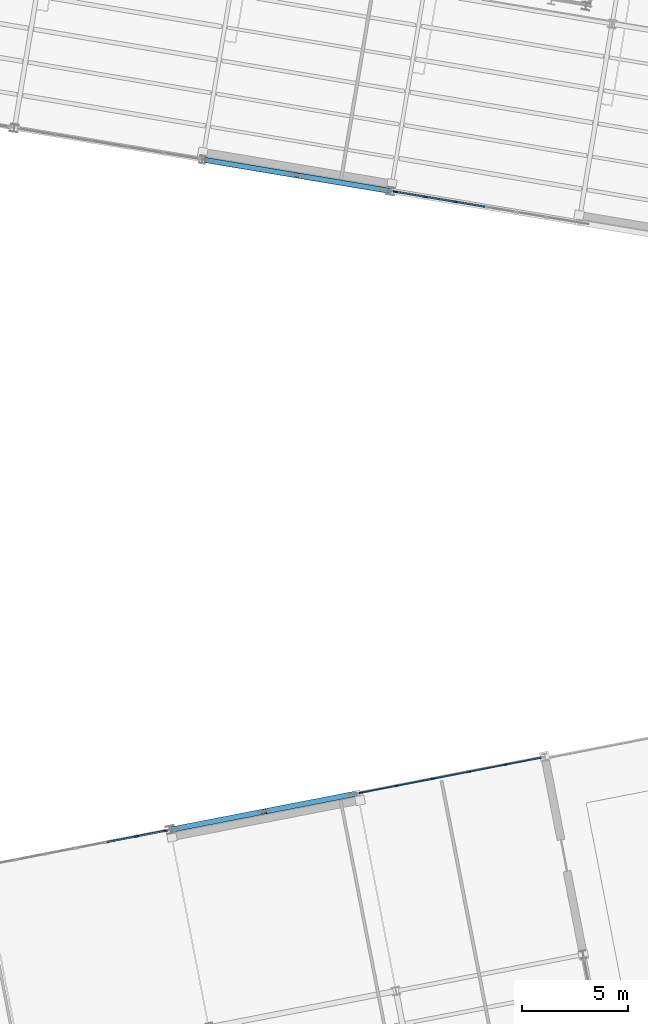
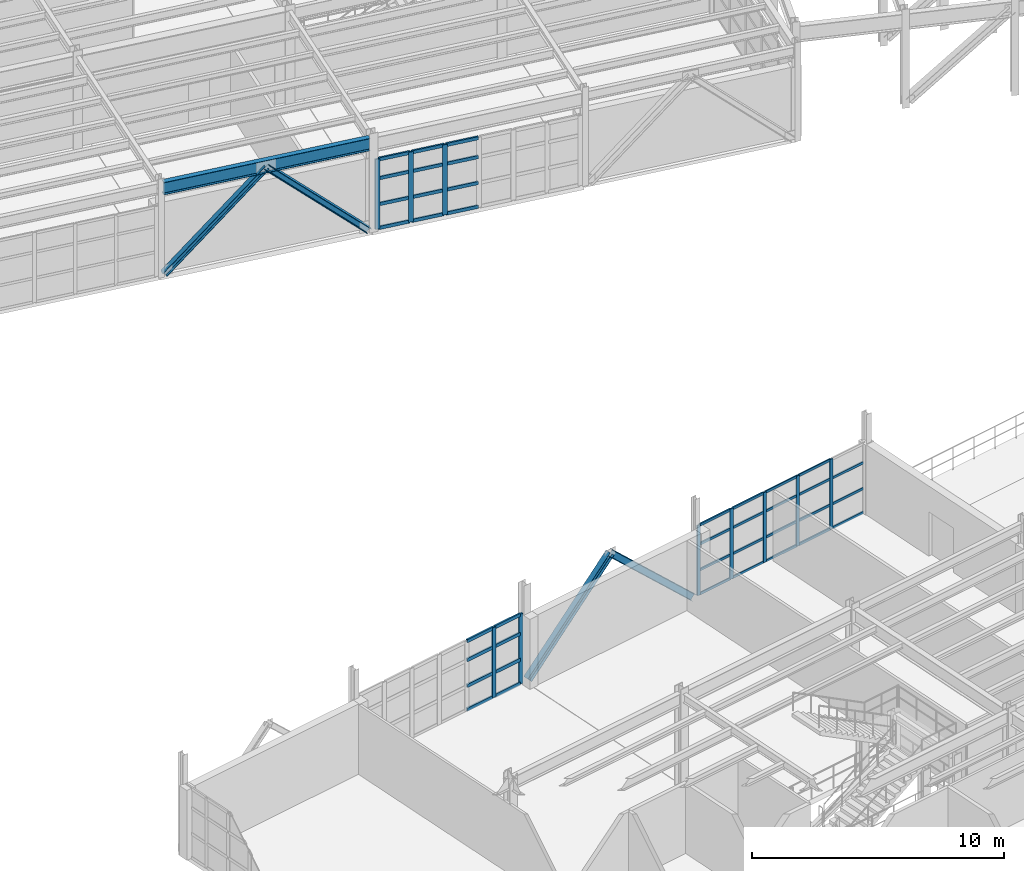
# One storey, part 27 of 109: 53 members, 1 beam, 3 elements without a shape of their own.
"""IFC4 building model written with IfcOpenShell, lengths in metres."""

from ifc_helpers import new_model, si_unit, direction, frame, origin, origin_2d, place, context, subcontext, project, spatial, rectangle, i_section, extrude, material, layer, layer_set, material_profile, profile_set, type_object, element, aggregate, save


model = new_model("IFC4")

# Units and contexts
model_context = context("Model", 3, precision=1e-05, world=origin(), true_north=direction((0.0, 1.0)))
body_context = subcontext(model_context, "Body", "Model", "MODEL_VIEW")
ifc_project = project(units=[si_unit("LENGTHUNIT", "METRE"), si_unit("AREAUNIT", "SQUARE_METRE"), si_unit("VOLUMEUNIT", "CUBIC_METRE"), si_unit("PLANEANGLEUNIT", "RADIAN"), si_unit("MASSUNIT", "GRAM", prefix="KILO")], contexts=[model_context])

# Site, building, storey
site_placement = place(None, origin())
site = spatial("IfcSite", under=ifc_project, at=site_placement, CompositionType="ELEMENT")
building_placement = place(site_placement, origin())
building = spatial("IfcBuilding", under=site, at=building_placement, Name="Vireo Bluff Cable Station", CompositionType="ELEMENT")
storey_placement = place(building_placement, frame((0.0, 0.0, 4.800048828125)))
storey = spatial("IfcBuildingStorey", under=building, at=storey_placement, Name="L01", CompositionType="ELEMENT", Elevation=4.800048828125)

# Members
ifc_material_1 = material(Name="Steel ASTM A992 Gr. 50", Category="steel")
ifc_material_profile_1 = material_profile(ifc_material_1, i_section(OverallWidth=0.2548828125, OverallDepth=0.256103515625, WebThickness=0.009521484375, FlangeThickness=0.015625, FilletRadius=0.009033203125, at=origin_2d()), Name="W10X54")
ifc_profile_set_1 = profile_set([ifc_material_profile_1], Name="Steel ASTM A992 Gr. 50")
member_type_1 = type_object("IfcMemberType", Name="BRC-02", PredefinedType="BRACE", material=ifc_profile_set_1)
member_1_placement = place(storey_placement, frame((23.410888671875, 68.502685546875, 0.0400390625), z_axis=(0.713671018406, -0.11942683899, 0.690225258605), x_axis=(0.165046622801, 0.986285766044, 0.0)))
element("IfcMember", 1, at=member_1_placement, inside=storey, type_object=member_type_1, Name="V4 L01 concentric brace 73L", PredefinedType="BRACE", context=body_context, shape_type="SweptSolid", body=[
    extrude(i_section(OverallWidth=0.2548828125, OverallDepth=0.256103515625, WebThickness=0.009521484375, FlangeThickness=0.015625, FilletRadius=0.009033203125, at=origin_2d()), origin(), (0.0, 0.0, 1.0), 5.997802734375),
])
ifc_material_profile_2 = material_profile(ifc_material_1, i_section(OverallWidth=0.257080078125, OverallDepth=0.263916015625, WebThickness=0.011962890625, FlangeThickness=0.01953125, FilletRadius=0.009033203125, at=origin_2d()), Name="W10X68")
ifc_profile_set_2 = profile_set([ifc_material_profile_2], Name="Steel ASTM A992 Gr. 50")
member_type_2 = type_object("IfcMemberType", Name="BRC-03", PredefinedType="BRACE", material=ifc_profile_set_2)
member_2_placement = place(storey_placement, frame((31.971923828125, 67.070068359375, 0.0400390625), z_axis=(-0.713671018406, 0.11942683899, 0.690225258605), x_axis=(-0.165046622801, -0.986285766044, 0.0)))
element("IfcMember", 2, at=member_2_placement, inside=storey, type_object=member_type_2, Name="V4 L01 concentric brace 74R", PredefinedType="BRACE", context=body_context, shape_type="SweptSolid", body=[
    extrude(i_section(OverallWidth=0.257080078125, OverallDepth=0.263916015625, WebThickness=0.011962890625, FlangeThickness=0.01953125, FilletRadius=0.009033203125, at=origin_2d()), origin(), (0.0, 0.0, 1.0), 5.997802734375),
])
ifc_material_profile_3 = material_profile(ifc_material_1, i_section(OverallWidth=0.25390625, OverallDepth=0.305908203125, WebThickness=0.0087890625, FlangeThickness=0.0146484375, FilletRadius=0.010986328125, at=origin_2d()), Name="W12X53")
ifc_profile_set_3 = profile_set([ifc_material_profile_3], Name="Steel ASTM A992 Gr. 50")
member_type_3 = type_object("IfcMemberType", Name="BRC-04", PredefinedType="BRACE", material=ifc_profile_set_3)
member_3_placement = place(storey_placement, frame((21.88818359375, 36.94140625, 0.0400390625), z_axis=(0.710296245471, 0.138070192816, 0.690228850111), x_axis=(-0.190812443151, 0.981626513262, 0.0)))
element("IfcMember", 3, at=member_3_placement, inside=storey, type_object=member_type_3, Name="V5 L01 concentric brace 93L", PredefinedType="BRACE", context=body_context, shape_type="SweptSolid", body=[
    extrude(i_section(OverallWidth=0.25390625, OverallDepth=0.305908203125, WebThickness=0.0087890625, FlangeThickness=0.0146484375, FilletRadius=0.010986328125, at=origin_2d()), origin(), (0.0, 0.0, 1.0), 5.997802734375),
])
ifc_material_profile_4 = material_profile(ifc_material_1, i_section(OverallWidth=0.25390625, OverallDepth=0.31005859375, WebThickness=0.009033203125, FlangeThickness=0.016357421875, FilletRadius=0.010986328125, at=origin_2d()), Name="W12X58")
ifc_profile_set_4 = profile_set([ifc_material_profile_4], Name="Steel ASTM A992 Gr. 50")
member_type_4 = type_object("IfcMemberType", Name="BRC-05", PredefinedType="BRACE", material=ifc_profile_set_4)
member_4_placement = place(storey_placement, frame((30.408935546875, 38.59765625, 0.0400390625), z_axis=(-0.710316412908, -0.138066200939, 0.690208894257), x_axis=(0.190801907041, -0.981628561254, 0.0)))
element("IfcMember", 4, at=member_4_placement, inside=storey, type_object=member_type_4, Name="V5 L01 concentric brace 94R", PredefinedType="BRACE", context=body_context, shape_type="SweptSolid", body=[
    extrude(i_section(OverallWidth=0.25390625, OverallDepth=0.31005859375, WebThickness=0.009033203125, FlangeThickness=0.016357421875, FilletRadius=0.010986328125, at=origin_2d()), origin(), (0.0, 0.0, 1.0), 5.998046875),
])

# Curtain wall, members
ifc_material_2 = material(Name="Anodized Aluminium 6063-T6", Category="aluminium")
ifc_layer_1 = layer(ifc_material_2, 0.179931640625, Name="Anodized Aluminium 6063-T6")
ifc_layer_set_1 = layer_set([ifc_layer_1], Name="Anodized Aluminium 6063-T6")
curtain_wall_type_1 = type_object("IfcCurtainWallType", Name="CW-UNIT-1500", PredefinedType="USERDEFINED", material=ifc_layer_set_1)
curtain_wall_1_placement = place(storey_placement, origin())
curtain_wall_1 = element("IfcCurtainWall", 5, at=curtain_wall_1_placement, inside=storey, type_object=curtain_wall_type_1, Name="V4 L01 south curtain wall CW-085", ObjectType="UNITISED CURTAIN WALL", PredefinedType="USERDEFINED")
ifc_material_profile_5 = material_profile(ifc_material_2, rectangle(XDim=0.074951171875, YDim=0.2099609375, at=origin_2d()), Name="ALU-M-75X210")
ifc_profile_set_5 = profile_set([ifc_material_profile_5], Name="Anodized Aluminium 6063-T6")
member_type_5 = type_object("IfcMemberType", Name="CWM-02", PredefinedType="MULLION", material=ifc_profile_set_5)
member_5_placement = place(storey_placement, frame((35.1689453125, 66.53515625, 0.0), z_axis=(0.0, 0.0, 1.0), x_axis=(-0.165047619081, -0.986285599325, 0.0)))
member_5 = element("IfcMember", 6, at=member_5_placement, type_object=member_type_5, Name="CW-085 mullion 5", PredefinedType="MULLION", context=body_context, shape_type="SweptSolid", body=[
    extrude(rectangle(XDim=0.074951171875, YDim=0.2099609375, at=origin_2d()), origin(), (0.0, 0.0, 1.0), 3.39990234375),
])
member_6_placement = place(storey_placement, frame((33.741455078125, 66.77392578125, 0.0), z_axis=(0.0, 0.0, 1.0), x_axis=(-0.165047619081, -0.986285599325, 0.0)))
member_6 = element("IfcMember", 7, at=member_6_placement, type_object=member_type_5, Name="CW-085 mullion 6", PredefinedType="MULLION", context=body_context, shape_type="SweptSolid", body=[
    extrude(rectangle(XDim=0.074951171875, YDim=0.2099609375, at=origin_2d()), origin(), (0.0, 0.0, 1.0), 3.39990234375),
])
member_7_placement = place(storey_placement, frame((32.35107421875, 67.006591796875, 0.0), z_axis=(0.0, 0.0, 1.0), x_axis=(-0.165047619081, -0.986285599325, 0.0)))
member_7 = element("IfcMember", 8, at=member_7_placement, type_object=member_type_5, Name="CW-085 mullion 7", PredefinedType="MULLION", context=body_context, shape_type="SweptSolid", body=[
    extrude(rectangle(XDim=0.074951171875, YDim=0.2099609375, at=origin_2d()), origin(), (0.0, 0.0, 1.0), 3.39990234375),
])

curtain_wall_2_placement = place(storey_placement, origin())
curtain_wall_2 = element("IfcCurtainWall", 9, at=curtain_wall_2_placement, inside=storey, type_object=curtain_wall_type_1, Name="V5 L01 north curtain wall CW-121", ObjectType="UNITISED CURTAIN WALL", PredefinedType="USERDEFINED")
member_8_placement = place(storey_placement, frame((20.127197265625, 36.59912109375, 0.0), z_axis=(0.0, 0.0, 1.0), x_axis=(-0.190808984446, 0.981627185572, 0.0)))
member_8 = element("IfcMember", 10, at=member_8_placement, type_object=member_type_5, Name="CW-121 mullion 6", PredefinedType="MULLION", context=body_context, shape_type="SweptSolid", body=[
    extrude(rectangle(XDim=0.074951171875, YDim=0.2099609375, at=origin_2d()), origin(), (0.0, 0.0, 1.0), 3.39990234375),
])
member_9_placement = place(storey_placement, frame((21.5107421875, 36.8681640625, 0.0), z_axis=(0.0, 0.0, 1.0), x_axis=(-0.190808984446, 0.981627185572, 0.0)))
member_9 = element("IfcMember", 11, at=member_9_placement, type_object=member_type_5, Name="CW-121 mullion 7", PredefinedType="MULLION", context=body_context, shape_type="SweptSolid", body=[
    extrude(rectangle(XDim=0.074951171875, YDim=0.2099609375, at=origin_2d()), origin(), (0.0, 0.0, 1.0), 3.39990234375),
])

ifc_layer_2 = layer(ifc_material_2, 0.179931640625, Name="Anodized Aluminium 6063-T6")
ifc_layer_set_2 = layer_set([ifc_layer_2], Name="Anodized Aluminium 6063-T6")
curtain_wall_type_2 = type_object("IfcCurtainWallType", Name="CW-UNIT-1650", PredefinedType="USERDEFINED", material=ifc_layer_set_2)
curtain_wall_3_placement = place(storey_placement, origin())
curtain_wall_3 = element("IfcCurtainWall", 12, at=curtain_wall_3_placement, inside=storey, type_object=curtain_wall_type_2, Name="V5 L01 north curtain wall CW-122", ObjectType="UNITISED CURTAIN WALL", PredefinedType="USERDEFINED")
ifc_material_profile_6 = material_profile(ifc_material_2, rectangle(XDim=0.06005859375, YDim=0.159912109375, at=origin_2d()), Name="ALU-M-60X160")
ifc_profile_set_6 = profile_set([ifc_material_profile_6], Name="Anodized Aluminium 6063-T6")
member_type_6 = type_object("IfcMemberType", Name="CWM-03", PredefinedType="MULLION", material=ifc_profile_set_6)
member_10_placement = place(storey_placement, frame((30.722412109375, 38.65869140625, 0.0), z_axis=(0.0, 0.0, 1.0), x_axis=(-0.190809014291, 0.981627179771, 0.0)))
member_10 = element("IfcMember", 13, at=member_10_placement, type_object=member_type_6, Name="CW-122 mullion 1", PredefinedType="MULLION", context=body_context, shape_type="SweptSolid", body=[
    extrude(rectangle(XDim=0.06005859375, YDim=0.159912109375, at=origin_2d()), origin(), (0.0, 0.0, 1.0), 3.39990234375),
])
member_11_placement = place(storey_placement, frame((32.4091796875, 38.986572265625, 0.0), z_axis=(0.0, 0.0, 1.0), x_axis=(-0.190809014291, 0.981627179771, 0.0)))
member_11 = element("IfcMember", 14, at=member_11_placement, type_object=member_type_6, Name="CW-122 mullion 2", PredefinedType="MULLION", context=body_context, shape_type="SweptSolid", body=[
    extrude(rectangle(XDim=0.06005859375, YDim=0.159912109375, at=origin_2d()), origin(), (0.0, 0.0, 1.0), 3.39990234375),
])
member_12_placement = place(storey_placement, frame((34.125244140625, 39.320068359375, 0.0), z_axis=(0.0, 0.0, 1.0), x_axis=(-0.190809014291, 0.981627179771, 0.0)))
member_12 = element("IfcMember", 15, at=member_12_placement, type_object=member_type_6, Name="CW-122 mullion 3", PredefinedType="MULLION", context=body_context, shape_type="SweptSolid", body=[
    extrude(rectangle(XDim=0.06005859375, YDim=0.159912109375, at=origin_2d()), origin(), (0.0, 0.0, 1.0), 3.39990234375),
])
member_13_placement = place(storey_placement, frame((35.841552734375, 39.65380859375, 0.0), z_axis=(0.0, 0.0, 1.0), x_axis=(-0.190809014291, 0.981627179771, 0.0)))
member_13 = element("IfcMember", 16, at=member_13_placement, type_object=member_type_6, Name="CW-122 mullion 4", PredefinedType="MULLION", context=body_context, shape_type="SweptSolid", body=[
    extrude(rectangle(XDim=0.06005859375, YDim=0.159912109375, at=origin_2d()), origin(), (0.0, 0.0, 1.0), 3.39990234375),
])
member_14_placement = place(storey_placement, frame((37.5576171875, 39.9873046875, 0.0), z_axis=(0.0, 0.0, 1.0), x_axis=(-0.190809014291, 0.981627179771, 0.0)))
member_14 = element("IfcMember", 17, at=member_14_placement, type_object=member_type_6, Name="CW-122 mullion 5", PredefinedType="MULLION", context=body_context, shape_type="SweptSolid", body=[
    extrude(rectangle(XDim=0.06005859375, YDim=0.159912109375, at=origin_2d()), origin(), (0.0, 0.0, 1.0), 3.39990234375),
])

# Member
ifc_material_profile_7 = material_profile(ifc_material_2, rectangle(XDim=0.074951171875, YDim=0.159912109375, at=origin_2d()), Name="ALU-T-75X160")
ifc_profile_set_7 = profile_set([ifc_material_profile_7], Name="Anodized Aluminium 6063-T6")
member_type_7 = type_object("IfcMemberType", Name="CWT-02", PredefinedType="USERDEFINED", material=ifc_profile_set_7)
member_15_placement = place(storey_placement, frame((36.559326171875, 66.302490234375, 0.037353515625), z_axis=(-0.986273436195, 0.16512028663, 0.0), x_axis=(-0.16512028663, -0.986273436195, 0.0)))
member_15 = element("IfcMember", 18, at=member_15_placement, type_object=member_type_7, Name="CW-085 transom 4.1", ObjectType="TRANSOM", PredefinedType="USERDEFINED", context=body_context, shape_type="SweptSolid", body=[
    extrude(rectangle(XDim=0.074951171875, YDim=0.159912109375, at=origin_2d()), origin(), (0.0, 0.0, 1.0), 1.3720703125),
])

member_16_placement = place(storey_placement, frame((36.559326171875, 66.302490234375, 1.18994140625), z_axis=(-0.986273436195, 0.16512028663, 0.0), x_axis=(-0.16512028663, -0.986273436195, 0.0)))
member_16 = element("IfcMember", 19, at=member_16_placement, type_object=member_type_7, Name="CW-085 transom 4.2", ObjectType="TRANSOM", PredefinedType="USERDEFINED", context=body_context, shape_type="SweptSolid", body=[
    extrude(rectangle(XDim=0.074951171875, YDim=0.159912109375, at=origin_2d()), origin(), (0.0, 0.0, 1.0), 1.3720703125),
])

member_17_placement = place(storey_placement, frame((36.559326171875, 66.302490234375, 2.447998046875), z_axis=(-0.986273436195, 0.16512028663, 0.0), x_axis=(-0.16512028663, -0.986273436195, 0.0)))
member_17 = element("IfcMember", 20, at=member_17_placement, type_object=member_type_7, Name="CW-085 transom 4.3", ObjectType="TRANSOM", PredefinedType="USERDEFINED", context=body_context, shape_type="SweptSolid", body=[
    extrude(rectangle(XDim=0.074951171875, YDim=0.159912109375, at=origin_2d()), origin(), (0.0, 0.0, 1.0), 1.3720703125),
])

member_18_placement = place(storey_placement, frame((36.559326171875, 66.302490234375, 3.362548828125), z_axis=(-0.986273436195, 0.16512028663, 0.0), x_axis=(-0.16512028663, -0.986273436195, 0.0)))
member_18 = element("IfcMember", 21, at=member_18_placement, type_object=member_type_7, Name="CW-085 transom 4.4", ObjectType="TRANSOM", PredefinedType="USERDEFINED", context=body_context, shape_type="SweptSolid", body=[
    extrude(rectangle(XDim=0.074951171875, YDim=0.159912109375, at=origin_2d()), origin(), (0.0, 0.0, 1.0), 1.3720703125),
])

member_19_placement = place(storey_placement, frame((35.132080078125, 66.541259765625, 0.037353515625), z_axis=(-0.986278286164, 0.165091314856, 0.0), x_axis=(-0.165091314856, -0.986278286164, 0.0)))
member_19 = element("IfcMember", 22, at=member_19_placement, type_object=member_type_7, Name="CW-085 transom 5.1", ObjectType="TRANSOM", PredefinedType="USERDEFINED", context=body_context, shape_type="SweptSolid", body=[
    extrude(rectangle(XDim=0.074951171875, YDim=0.159912109375, at=origin_2d()), origin(), (0.0, 0.0, 1.0), 1.372314453125),
])

member_20_placement = place(storey_placement, frame((35.132080078125, 66.541259765625, 1.18994140625), z_axis=(-0.986278286164, 0.165091314856, 0.0), x_axis=(-0.165091314856, -0.986278286164, 0.0)))
member_20 = element("IfcMember", 23, at=member_20_placement, type_object=member_type_7, Name="CW-085 transom 5.2", ObjectType="TRANSOM", PredefinedType="USERDEFINED", context=body_context, shape_type="SweptSolid", body=[
    extrude(rectangle(XDim=0.074951171875, YDim=0.159912109375, at=origin_2d()), origin(), (0.0, 0.0, 1.0), 1.372314453125),
])

member_21_placement = place(storey_placement, frame((35.132080078125, 66.541259765625, 2.447998046875), z_axis=(-0.986278286164, 0.165091314856, 0.0), x_axis=(-0.165091314856, -0.986278286164, 0.0)))
member_21 = element("IfcMember", 24, at=member_21_placement, type_object=member_type_7, Name="CW-085 transom 5.3", ObjectType="TRANSOM", PredefinedType="USERDEFINED", context=body_context, shape_type="SweptSolid", body=[
    extrude(rectangle(XDim=0.074951171875, YDim=0.159912109375, at=origin_2d()), origin(), (0.0, 0.0, 1.0), 1.372314453125),
])

member_22_placement = place(storey_placement, frame((35.132080078125, 66.541259765625, 3.362548828125), z_axis=(-0.986278286164, 0.165091314856, 0.0), x_axis=(-0.165091314856, -0.986278286164, 0.0)))
member_22 = element("IfcMember", 25, at=member_22_placement, type_object=member_type_7, Name="CW-085 transom 5.4", ObjectType="TRANSOM", PredefinedType="USERDEFINED", context=body_context, shape_type="SweptSolid", body=[
    extrude(rectangle(XDim=0.074951171875, YDim=0.159912109375, at=origin_2d()), origin(), (0.0, 0.0, 1.0), 1.372314453125),
])

member_23_placement = place(storey_placement, frame((33.70458984375, 66.7802734375, 0.037353515625), z_axis=(-0.986294870737, 0.16499220575, 0.0), x_axis=(-0.16499220575, -0.986294870737, 0.0)))
member_23 = element("IfcMember", 26, at=member_23_placement, type_object=member_type_7, Name="CW-085 transom 6.1", ObjectType="TRANSOM", PredefinedType="USERDEFINED", context=body_context, shape_type="SweptSolid", body=[
    extrude(rectangle(XDim=0.074951171875, YDim=0.159912109375, at=origin_2d()), origin(), (0.0, 0.0, 1.0), 1.334716796875),
])

member_24_placement = place(storey_placement, frame((33.70458984375, 66.7802734375, 1.18994140625), z_axis=(-0.986294870737, 0.16499220575, 0.0), x_axis=(-0.16499220575, -0.986294870737, 0.0)))
member_24 = element("IfcMember", 27, at=member_24_placement, type_object=member_type_7, Name="CW-085 transom 6.2", ObjectType="TRANSOM", PredefinedType="USERDEFINED", context=body_context, shape_type="SweptSolid", body=[
    extrude(rectangle(XDim=0.074951171875, YDim=0.159912109375, at=origin_2d()), origin(), (0.0, 0.0, 1.0), 1.334716796875),
])

member_25_placement = place(storey_placement, frame((33.70458984375, 66.7802734375, 2.447998046875), z_axis=(-0.986294870737, 0.16499220575, 0.0), x_axis=(-0.16499220575, -0.986294870737, 0.0)))
member_25 = element("IfcMember", 28, at=member_25_placement, type_object=member_type_7, Name="CW-085 transom 6.3", ObjectType="TRANSOM", PredefinedType="USERDEFINED", context=body_context, shape_type="SweptSolid", body=[
    extrude(rectangle(XDim=0.074951171875, YDim=0.159912109375, at=origin_2d()), origin(), (0.0, 0.0, 1.0), 1.334716796875),
])

member_26_placement = place(storey_placement, frame((33.70458984375, 66.7802734375, 3.362548828125), z_axis=(-0.986294870737, 0.16499220575, 0.0), x_axis=(-0.16499220575, -0.986294870737, 0.0)))
member_26 = element("IfcMember", 29, at=member_26_placement, type_object=member_type_7, Name="CW-085 transom 6.4", ObjectType="TRANSOM", PredefinedType="USERDEFINED", context=body_context, shape_type="SweptSolid", body=[
    extrude(rectangle(XDim=0.074951171875, YDim=0.159912109375, at=origin_2d()), origin(), (0.0, 0.0, 1.0), 1.334716796875),
])

aggregate(curtain_wall_1, [member_5, member_6, member_7, member_15, member_16, member_17, member_18, member_19, member_20, member_21, member_22, member_23, member_24, member_25, member_26])

member_27_placement = place(storey_placement, frame((18.743408203125, 36.330078125, 0.037353515625), z_axis=(0.981607054743, 0.190912519438, 0.0), x_axis=(-0.190912519438, 0.981607054743, 0.0)))
member_27 = element("IfcMember", 30, at=member_27_placement, type_object=member_type_7, Name="CW-121 transom 5.1", ObjectType="TRANSOM", PredefinedType="USERDEFINED", context=body_context, shape_type="SweptSolid", body=[
    extrude(rectangle(XDim=0.074951171875, YDim=0.159912109375, at=origin_2d()), origin(), (0.0, 0.0, 1.0), 1.3720703125),
])

member_28_placement = place(storey_placement, frame((18.743408203125, 36.330078125, 1.18994140625), z_axis=(0.981607054743, 0.190912519438, 0.0), x_axis=(-0.190912519438, 0.981607054743, 0.0)))
member_28 = element("IfcMember", 31, at=member_28_placement, type_object=member_type_7, Name="CW-121 transom 5.2", ObjectType="TRANSOM", PredefinedType="USERDEFINED", context=body_context, shape_type="SweptSolid", body=[
    extrude(rectangle(XDim=0.074951171875, YDim=0.159912109375, at=origin_2d()), origin(), (0.0, 0.0, 1.0), 1.3720703125),
])

member_29_placement = place(storey_placement, frame((18.743408203125, 36.330078125, 2.447998046875), z_axis=(0.981607054743, 0.190912519438, 0.0), x_axis=(-0.190912519438, 0.981607054743, 0.0)))
member_29 = element("IfcMember", 32, at=member_29_placement, type_object=member_type_7, Name="CW-121 transom 5.3", ObjectType="TRANSOM", PredefinedType="USERDEFINED", context=body_context, shape_type="SweptSolid", body=[
    extrude(rectangle(XDim=0.074951171875, YDim=0.159912109375, at=origin_2d()), origin(), (0.0, 0.0, 1.0), 1.3720703125),
])

member_30_placement = place(storey_placement, frame((18.743408203125, 36.330078125, 3.362548828125), z_axis=(0.981607054743, 0.190912519438, 0.0), x_axis=(-0.190912519438, 0.981607054743, 0.0)))
member_30 = element("IfcMember", 33, at=member_30_placement, type_object=member_type_7, Name="CW-121 transom 5.4", ObjectType="TRANSOM", PredefinedType="USERDEFINED", context=body_context, shape_type="SweptSolid", body=[
    extrude(rectangle(XDim=0.074951171875, YDim=0.159912109375, at=origin_2d()), origin(), (0.0, 0.0, 1.0), 1.3720703125),
])

member_31_placement = place(storey_placement, frame((20.1640625, 36.606201171875, 0.037353515625), z_axis=(0.981628716361, 0.19080110905, 0.0), x_axis=(-0.19080110905, 0.981628716361, 0.0)))
member_31 = element("IfcMember", 34, at=member_31_placement, type_object=member_type_7, Name="CW-121 transom 6.1", ObjectType="TRANSOM", PredefinedType="USERDEFINED", context=body_context, shape_type="SweptSolid", body=[
    extrude(rectangle(XDim=0.074951171875, YDim=0.159912109375, at=origin_2d()), origin(), (0.0, 0.0, 1.0), 1.33447265625),
])

member_32_placement = place(storey_placement, frame((20.1640625, 36.606201171875, 1.18994140625), z_axis=(0.981628716361, 0.19080110905, 0.0), x_axis=(-0.19080110905, 0.981628716361, 0.0)))
member_32 = element("IfcMember", 35, at=member_32_placement, type_object=member_type_7, Name="CW-121 transom 6.2", ObjectType="TRANSOM", PredefinedType="USERDEFINED", context=body_context, shape_type="SweptSolid", body=[
    extrude(rectangle(XDim=0.074951171875, YDim=0.159912109375, at=origin_2d()), origin(), (0.0, 0.0, 1.0), 1.33447265625),
])

member_33_placement = place(storey_placement, frame((20.1640625, 36.606201171875, 2.447998046875), z_axis=(0.981628716361, 0.19080110905, 0.0), x_axis=(-0.19080110905, 0.981628716361, 0.0)))
member_33 = element("IfcMember", 36, at=member_33_placement, type_object=member_type_7, Name="CW-121 transom 6.3", ObjectType="TRANSOM", PredefinedType="USERDEFINED", context=body_context, shape_type="SweptSolid", body=[
    extrude(rectangle(XDim=0.074951171875, YDim=0.159912109375, at=origin_2d()), origin(), (0.0, 0.0, 1.0), 1.33447265625),
])

member_34_placement = place(storey_placement, frame((20.1640625, 36.606201171875, 3.362548828125), z_axis=(0.981628716361, 0.19080110905, 0.0), x_axis=(-0.19080110905, 0.981628716361, 0.0)))
member_34 = element("IfcMember", 37, at=member_34_placement, type_object=member_type_7, Name="CW-121 transom 6.4", ObjectType="TRANSOM", PredefinedType="USERDEFINED", context=body_context, shape_type="SweptSolid", body=[
    extrude(rectangle(XDim=0.074951171875, YDim=0.159912109375, at=origin_2d()), origin(), (0.0, 0.0, 1.0), 1.33447265625),
])

aggregate(curtain_wall_2, [member_8, member_9, member_27, member_28, member_29, member_30, member_31, member_32, member_33, member_34])

ifc_material_profile_8 = material_profile(ifc_material_2, rectangle(XDim=0.06005859375, YDim=0.1201171875, at=origin_2d()), Name="ALU-T-60X120")
ifc_profile_set_8 = profile_set([ifc_material_profile_8], Name="Anodized Aluminium 6063-T6")
member_type_8 = type_object("IfcMemberType", Name="CWT-03", PredefinedType="USERDEFINED", material=ifc_profile_set_8)
member_35_placement = place(storey_placement, frame((30.751953125, 38.664306640625, 0.030029296875), z_axis=(0.981625350054, 0.190818427129, 0.0), x_axis=(-0.190818427129, 0.981625350054, 0.0)))
member_35 = element("IfcMember", 38, at=member_35_placement, type_object=member_type_8, Name="CW-122 transom 1.1", ObjectType="TRANSOM", PredefinedType="USERDEFINED", context=body_context, shape_type="SweptSolid", body=[
    extrude(rectangle(XDim=0.06005859375, YDim=0.1201171875, at=origin_2d()), origin(), (0.0, 0.0, 1.0), 1.658203125),
])

member_36_placement = place(storey_placement, frame((30.751953125, 38.664306640625, 1.18994140625), z_axis=(0.981625350054, 0.190818427129, 0.0), x_axis=(-0.190818427129, 0.981625350054, 0.0)))
member_36 = element("IfcMember", 39, at=member_36_placement, type_object=member_type_8, Name="CW-122 transom 1.2", ObjectType="TRANSOM", PredefinedType="USERDEFINED", context=body_context, shape_type="SweptSolid", body=[
    extrude(rectangle(XDim=0.06005859375, YDim=0.1201171875, at=origin_2d()), origin(), (0.0, 0.0, 1.0), 1.658203125),
])

member_37_placement = place(storey_placement, frame((30.751953125, 38.664306640625, 2.447998046875), z_axis=(0.981625350054, 0.190818427129, 0.0), x_axis=(-0.190818427129, 0.981625350054, 0.0)))
member_37 = element("IfcMember", 40, at=member_37_placement, type_object=member_type_8, Name="CW-122 transom 1.3", ObjectType="TRANSOM", PredefinedType="USERDEFINED", context=body_context, shape_type="SweptSolid", body=[
    extrude(rectangle(XDim=0.06005859375, YDim=0.1201171875, at=origin_2d()), origin(), (0.0, 0.0, 1.0), 1.658203125),
])

member_38_placement = place(storey_placement, frame((30.751953125, 38.664306640625, 3.369873046875), z_axis=(0.981625350054, 0.190818427129, 0.0), x_axis=(-0.190818427129, 0.981625350054, 0.0)))
member_38 = element("IfcMember", 41, at=member_38_placement, type_object=member_type_8, Name="CW-122 transom 1.4", ObjectType="TRANSOM", PredefinedType="USERDEFINED", context=body_context, shape_type="SweptSolid", body=[
    extrude(rectangle(XDim=0.06005859375, YDim=0.1201171875, at=origin_2d()), origin(), (0.0, 0.0, 1.0), 1.658203125),
])

member_39_placement = place(storey_placement, frame((32.438720703125, 38.9921875, 0.030029296875), z_axis=(0.981612379079, 0.190885141483, 0.0), x_axis=(-0.190885141483, 0.981612379079, 0.0)))
member_39 = element("IfcMember", 42, at=member_39_placement, type_object=member_type_8, Name="CW-122 transom 2.1", ObjectType="TRANSOM", PredefinedType="USERDEFINED", context=body_context, shape_type="SweptSolid", body=[
    extrude(rectangle(XDim=0.06005859375, YDim=0.1201171875, at=origin_2d()), origin(), (0.0, 0.0, 1.0), 1.688232421875),
])

member_40_placement = place(storey_placement, frame((32.438720703125, 38.9921875, 1.18994140625), z_axis=(0.981612379079, 0.190885141483, 0.0), x_axis=(-0.190885141483, 0.981612379079, 0.0)))
member_40 = element("IfcMember", 43, at=member_40_placement, type_object=member_type_8, Name="CW-122 transom 2.2", ObjectType="TRANSOM", PredefinedType="USERDEFINED", context=body_context, shape_type="SweptSolid", body=[
    extrude(rectangle(XDim=0.06005859375, YDim=0.1201171875, at=origin_2d()), origin(), (0.0, 0.0, 1.0), 1.688232421875),
])

member_41_placement = place(storey_placement, frame((32.438720703125, 38.9921875, 2.447998046875), z_axis=(0.981612379079, 0.190885141483, 0.0), x_axis=(-0.190885141483, 0.981612379079, 0.0)))
member_41 = element("IfcMember", 44, at=member_41_placement, type_object=member_type_8, Name="CW-122 transom 2.3", ObjectType="TRANSOM", PredefinedType="USERDEFINED", context=body_context, shape_type="SweptSolid", body=[
    extrude(rectangle(XDim=0.06005859375, YDim=0.1201171875, at=origin_2d()), origin(), (0.0, 0.0, 1.0), 1.688232421875),
])

member_42_placement = place(storey_placement, frame((32.438720703125, 38.9921875, 3.369873046875), z_axis=(0.981612379079, 0.190885141483, 0.0), x_axis=(-0.190885141483, 0.981612379079, 0.0)))
member_42 = element("IfcMember", 45, at=member_42_placement, type_object=member_type_8, Name="CW-122 transom 2.4", ObjectType="TRANSOM", PredefinedType="USERDEFINED", context=body_context, shape_type="SweptSolid", body=[
    extrude(rectangle(XDim=0.06005859375, YDim=0.1201171875, at=origin_2d()), origin(), (0.0, 0.0, 1.0), 1.688232421875),
])

member_43_placement = place(storey_placement, frame((34.15478515625, 39.325927734375, 0.030029296875), z_axis=(0.981639466258, 0.190745794931, 0.0), x_axis=(-0.190745794931, 0.981639466258, 0.0)))
member_43 = element("IfcMember", 46, at=member_43_placement, type_object=member_type_8, Name="CW-122 transom 3.1", ObjectType="TRANSOM", PredefinedType="USERDEFINED", context=body_context, shape_type="SweptSolid", body=[
    extrude(rectangle(XDim=0.06005859375, YDim=0.1201171875, at=origin_2d()), origin(), (0.0, 0.0, 1.0), 1.688232421875),
])

member_44_placement = place(storey_placement, frame((34.15478515625, 39.325927734375, 1.18994140625), z_axis=(0.981639466258, 0.190745794931, 0.0), x_axis=(-0.190745794931, 0.981639466258, 0.0)))
member_44 = element("IfcMember", 47, at=member_44_placement, type_object=member_type_8, Name="CW-122 transom 3.2", ObjectType="TRANSOM", PredefinedType="USERDEFINED", context=body_context, shape_type="SweptSolid", body=[
    extrude(rectangle(XDim=0.06005859375, YDim=0.1201171875, at=origin_2d()), origin(), (0.0, 0.0, 1.0), 1.688232421875),
])

member_45_placement = place(storey_placement, frame((34.15478515625, 39.325927734375, 2.447998046875), z_axis=(0.981639466258, 0.190745794931, 0.0), x_axis=(-0.190745794931, 0.981639466258, 0.0)))
member_45 = element("IfcMember", 48, at=member_45_placement, type_object=member_type_8, Name="CW-122 transom 3.3", ObjectType="TRANSOM", PredefinedType="USERDEFINED", context=body_context, shape_type="SweptSolid", body=[
    extrude(rectangle(XDim=0.06005859375, YDim=0.1201171875, at=origin_2d()), origin(), (0.0, 0.0, 1.0), 1.688232421875),
])

member_46_placement = place(storey_placement, frame((34.15478515625, 39.325927734375, 3.369873046875), z_axis=(0.981639466258, 0.190745794931, 0.0), x_axis=(-0.190745794931, 0.981639466258, 0.0)))
member_46 = element("IfcMember", 49, at=member_46_placement, type_object=member_type_8, Name="CW-122 transom 3.4", ObjectType="TRANSOM", PredefinedType="USERDEFINED", context=body_context, shape_type="SweptSolid", body=[
    extrude(rectangle(XDim=0.06005859375, YDim=0.1201171875, at=origin_2d()), origin(), (0.0, 0.0, 1.0), 1.688232421875),
])

member_47_placement = place(storey_placement, frame((35.87109375, 39.659423828125, 0.030029296875), z_axis=(0.981612379079, 0.190885141483, 0.0), x_axis=(-0.190885141483, 0.981612379079, 0.0)))
member_47 = element("IfcMember", 50, at=member_47_placement, type_object=member_type_8, Name="CW-122 transom 4.1", ObjectType="TRANSOM", PredefinedType="USERDEFINED", context=body_context, shape_type="SweptSolid", body=[
    extrude(rectangle(XDim=0.06005859375, YDim=0.1201171875, at=origin_2d()), origin(), (0.0, 0.0, 1.0), 1.688232421875),
])

member_48_placement = place(storey_placement, frame((35.87109375, 39.659423828125, 1.18994140625), z_axis=(0.981612379079, 0.190885141483, 0.0), x_axis=(-0.190885141483, 0.981612379079, 0.0)))
member_48 = element("IfcMember", 51, at=member_48_placement, type_object=member_type_8, Name="CW-122 transom 4.2", ObjectType="TRANSOM", PredefinedType="USERDEFINED", context=body_context, shape_type="SweptSolid", body=[
    extrude(rectangle(XDim=0.06005859375, YDim=0.1201171875, at=origin_2d()), origin(), (0.0, 0.0, 1.0), 1.688232421875),
])

member_49_placement = place(storey_placement, frame((35.87109375, 39.659423828125, 2.447998046875), z_axis=(0.981612379079, 0.190885141483, 0.0), x_axis=(-0.190885141483, 0.981612379079, 0.0)))
member_49 = element("IfcMember", 52, at=member_49_placement, type_object=member_type_8, Name="CW-122 transom 4.3", ObjectType="TRANSOM", PredefinedType="USERDEFINED", context=body_context, shape_type="SweptSolid", body=[
    extrude(rectangle(XDim=0.06005859375, YDim=0.1201171875, at=origin_2d()), origin(), (0.0, 0.0, 1.0), 1.688232421875),
])

member_50_placement = place(storey_placement, frame((35.87109375, 39.659423828125, 3.369873046875), z_axis=(0.981612379079, 0.190885141483, 0.0), x_axis=(-0.190885141483, 0.981612379079, 0.0)))
member_50 = element("IfcMember", 53, at=member_50_placement, type_object=member_type_8, Name="CW-122 transom 4.4", ObjectType="TRANSOM", PredefinedType="USERDEFINED", context=body_context, shape_type="SweptSolid", body=[
    extrude(rectangle(XDim=0.06005859375, YDim=0.1201171875, at=origin_2d()), origin(), (0.0, 0.0, 1.0), 1.688232421875),
])

member_51_placement = place(storey_placement, frame((37.587158203125, 39.992919921875, 0.030029296875), z_axis=(0.981630710017, 0.190790851857, 0.0), x_axis=(-0.190790851857, 0.981630710017, 0.0)))
member_51 = element("IfcMember", 54, at=member_51_placement, type_object=member_type_8, Name="CW-122 transom 5.1", ObjectType="TRANSOM", PredefinedType="USERDEFINED", context=body_context, shape_type="SweptSolid", body=[
    extrude(rectangle(XDim=0.06005859375, YDim=0.1201171875, at=origin_2d()), origin(), (0.0, 0.0, 1.0), 1.658447265625),
])

member_52_placement = place(storey_placement, frame((37.587158203125, 39.992919921875, 1.18994140625), z_axis=(0.981630710017, 0.190790851857, 0.0), x_axis=(-0.190790851857, 0.981630710017, 0.0)))
member_52 = element("IfcMember", 55, at=member_52_placement, type_object=member_type_8, Name="CW-122 transom 5.2", ObjectType="TRANSOM", PredefinedType="USERDEFINED", context=body_context, shape_type="SweptSolid", body=[
    extrude(rectangle(XDim=0.06005859375, YDim=0.1201171875, at=origin_2d()), origin(), (0.0, 0.0, 1.0), 1.658447265625),
])

member_53_placement = place(storey_placement, frame((37.587158203125, 39.992919921875, 2.447998046875), z_axis=(0.981630710017, 0.190790851857, 0.0), x_axis=(-0.190790851857, 0.981630710017, 0.0)))
member_53 = element("IfcMember", 56, at=member_53_placement, type_object=member_type_8, Name="CW-122 transom 5.3", ObjectType="TRANSOM", PredefinedType="USERDEFINED", context=body_context, shape_type="SweptSolid", body=[
    extrude(rectangle(XDim=0.06005859375, YDim=0.1201171875, at=origin_2d()), origin(), (0.0, 0.0, 1.0), 1.658447265625),
])

aggregate(curtain_wall_3, [member_10, member_11, member_12, member_13, member_14, member_35, member_36, member_37, member_38, member_39, member_40, member_41, member_42, member_43, member_44, member_45, member_46, member_47, member_48, member_49, member_50, member_51, member_52, member_53])

# Beam
ifc_material_profile_9 = material_profile(ifc_material_1, i_section(OverallWidth=0.22802734375, OverallDepth=0.60693359375, WebThickness=0.01123046875, FlangeThickness=0.017333984375, FilletRadius=0.012939453125, at=origin_2d()), Name="W24X76")
ifc_profile_set_9 = profile_set([ifc_material_profile_9], Name="Steel ASTM A992 Gr. 50")
beam_type = type_object("IfcBeamType", Name="SPN-W24X76", PredefinedType="SPANDREL", material=ifc_profile_set_9)
beam_placement = place(storey_placement, frame((23.37158203125, 68.50927734375, 4.236572265625), z_axis=(0.986285998922, -0.165045231163, 0.0), x_axis=(0.165045231163, 0.986285998922, 0.0)))
element("IfcBeam", 57, at=beam_placement, inside=storey, type_object=beam_type, Name="V4 L01 spandrel 874", PredefinedType="SPANDREL", context=body_context, shape_type="SweptSolid", body=[
    extrude(i_section(OverallWidth=0.22802734375, OverallDepth=0.60693359375, WebThickness=0.01123046875, FlangeThickness=0.017333984375, FilletRadius=0.012939453125, at=origin_2d()), origin(), (0.0, 0.0, 1.0), 8.760009765625),
])

save(model, "model.ifc")
